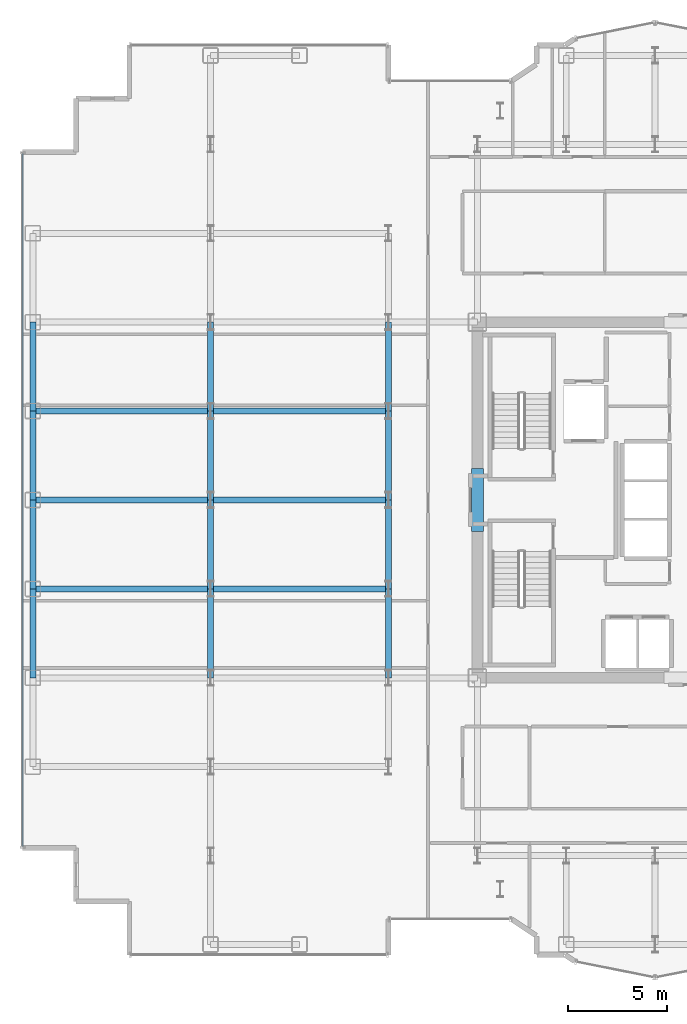
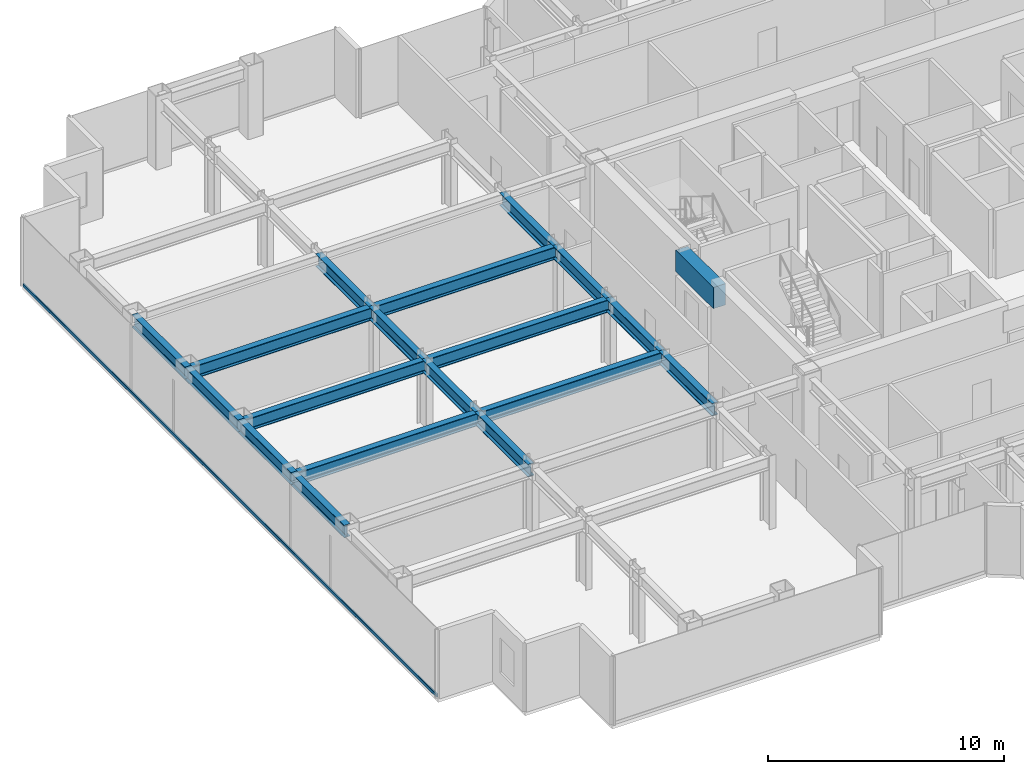
# One storey, part 6 of 23: 19 beams, 1 member, 1 element without a shape of its own.
"""IFC4 building model written with IfcOpenShell, lengths in metres."""

from ifc_helpers import new_model, si_unit, direction, frame, origin, origin_2d, place, context, subcontext, project, spatial, rectangle, hollow_rectangle, i_section, extrude, source, transform, mapped, material, layer, layer_set, material_profile, profile_set, type_object, element, aggregate, save


model = new_model("IFC4")

# Units and contexts
model_context = context("Model", 3, precision=1e-05, world=origin(), true_north=direction((0.0, 1.0)))
body_context = subcontext(model_context, "Body", "Model", "MODEL_VIEW")
ifc_project = project(units=[si_unit("LENGTHUNIT", "METRE"), si_unit("AREAUNIT", "SQUARE_METRE"), si_unit("VOLUMEUNIT", "CUBIC_METRE"), si_unit("PLANEANGLEUNIT", "RADIAN"), si_unit("MASSUNIT", "GRAM", prefix="KILO")], contexts=[model_context])

# Site, building, storey
site_placement = place(None, origin())
site = spatial("IfcSite", under=ifc_project, at=site_placement, CompositionType="ELEMENT")
building_placement = place(site_placement, origin())
building = spatial("IfcBuilding", under=site, at=building_placement, Name="Nefas-Gora Pilgrimage Tower", CompositionType="ELEMENT")
storey_placement = place(building_placement, frame((0.0, 0.0, 167.800048828125)))
storey = spatial("IfcBuildingStorey", under=building, at=storey_placement, Name="L41", CompositionType="ELEMENT", Elevation=167.800048828125)

# Beams
ifc_material_1 = material(Name="Concrete C60/75", Category="concrete")
ifc_material_profile_1 = material_profile(ifc_material_1, rectangle(XDim=0.60009765625, YDim=1.10009765625, at=origin_2d()), Name="RC 600x1100")
ifc_profile_set_1 = profile_set([ifc_material_profile_1], Name="Concrete C60/75")
beam_type_1 = type_object("IfcBeamType", Name="BM-LIN-RC1100", PredefinedType="LINTEL", material=ifc_profile_set_1)
shared_shape_1 = source(origin(), body_context, "Body", "SweptSolid", [
    extrude(rectangle(XDim=0.60009765625, YDim=1.10009765625, at=origin_2d()), origin(), (0.0, 0.0, 1.0), 3.2001953125),
])
beam_placement = place(storey_placement, frame((-11.25, -1.60009765625, 3.0), z_axis=(0.0, 1.0, 0.0), x_axis=(-1.0, 0.0, 0.0)))
element("IfcBeam", 1, at=beam_placement, inside=storey, type_object=beam_type_1, Name="L41 Core Coupling Lintel Beam W", PredefinedType="LINTEL", context=body_context, shape_type="MappedRepresentation", body=[
    mapped(shared_shape_1, transform((0.0, 0.0, 0.0), x_axis=(1.0, 0.0, 0.0), y_axis=(0.0, 1.0, 0.0), z_axis=(0.0, 0.0, 1.0), scale=1.0)),
])
ifc_material_2 = material(Name="Steel S355", Category="steel")
ifc_material_profile_2 = material_profile(ifc_material_2, i_section(OverallWidth=0.300048828125, OverallDepth=0.64990234375, WebThickness=0.01611328125, FlangeThickness=0.031005859375, FilletRadius=0.027099609375, at=origin_2d()), Name="HEB 650")
ifc_profile_set_2 = profile_set([ifc_material_profile_2], Name="Steel S355")
beam_type_2 = type_object("IfcBeamType", Name="BM-SPN-HEB500", PredefinedType="SPANDREL", material=ifc_profile_set_2)
shared_shape_2 = source(origin(), body_context, "Body", "SweptSolid", [
    extrude(i_section(OverallWidth=0.300048828125, OverallDepth=0.64990234375, WebThickness=0.01611328125, FlangeThickness=0.031005859375, FilletRadius=0.027099609375, at=origin_2d()), origin(), (0.0, 0.0, 1.0), 4.5),
])
for number, where, z_axis, x_axis, name in (
    (2, (-33.75, -9.0, 3.224853515625), (0.0, 1.0, 0.0), (-1.0, 0.0, 0.0), "L41 SP-02 beam"),
    (3, (-33.75, -4.5, 3.224853515625), (0.0, 1.0, 0.0), (-1.0, 0.0, 0.0), "L41 SP-02 beam"),
    (4, (-33.75, 0.0, 3.224853515625), (0.0, 1.0, 0.0), (-1.0, 0.0, 0.0), "L41 SP-02 beam"),
    (5, (-33.75, 4.5, 3.224853515625), (0.0, 1.0, 0.0), (-1.0, 0.0, 0.0), "L41 SP-02 beam"),
):
    element("IfcBeam", number, at=place(storey_placement, frame(where, z_axis=z_axis, x_axis=x_axis)), inside=storey, type_object=beam_type_2, Name=name, PredefinedType="SPANDREL", context=body_context, shape_type="MappedRepresentation", body=[
        mapped(shared_shape_2, transform((0.0, 0.0, 0.0), x_axis=(1.0, 0.0, 0.0), y_axis=(0.0, 1.0, 0.0), z_axis=(0.0, 0.0, 1.0), scale=1.0)),
    ])
ifc_material_profile_3 = material_profile(ifc_material_2, i_section(OverallWidth=0.300048828125, OverallDepth=0.64990234375, WebThickness=0.01611328125, FlangeThickness=0.031005859375, FilletRadius=0.027099609375, at=origin_2d()), Name="HEB 650")
ifc_profile_set_3 = profile_set([ifc_material_profile_3], Name="Steel S355")
beam_type_3 = type_object("IfcBeamType", Name="BM-GIR-HEB650", PredefinedType="BEAM", material=ifc_profile_set_3)
shared_shape_3 = source(origin(), body_context, "Body", "SweptSolid", [
    extrude(i_section(OverallWidth=0.300048828125, OverallDepth=0.64990234375, WebThickness=0.01611328125, FlangeThickness=0.031005859375, FilletRadius=0.027099609375, at=origin_2d()), origin(), (0.0, 0.0, 1.0), 9.0),
])
for number, where, z_axis, x_axis, name in (
    (6, (-33.75, -4.5, 3.224853515625), (1.0, 0.0, 0.0), (0.0, 1.0, 0.0), "L41 G-03 beam"),
    (7, (-33.75, 0.0, 3.224853515625), (1.0, 0.0, 0.0), (0.0, 1.0, 0.0), "L41 G-03 beam"),
    (8, (-33.75, 4.5, 3.224853515625), (1.0, 0.0, 0.0), (0.0, 1.0, 0.0), "L41 G-03 beam"),
    (9, (-24.75, -4.5, 3.224853515625), (1.0, 0.0, 0.0), (0.0, 1.0, 0.0), "L41 G-03 beam"),
    (10, (-24.75, 0.0, 3.224853515625), (1.0, 0.0, 0.0), (0.0, 1.0, 0.0), "L41 G-03 beam"),
    (11, (-24.75, 4.5, 3.224853515625), (1.0, 0.0, 0.0), (0.0, 1.0, 0.0), "L41 G-03 beam"),
):
    element("IfcBeam", number, at=place(storey_placement, frame(where, z_axis=z_axis, x_axis=x_axis)), inside=storey, type_object=beam_type_3, Name=name, PredefinedType="BEAM", context=body_context, shape_type="MappedRepresentation", body=[
        mapped(shared_shape_3, transform((0.0, 0.0, 0.0), x_axis=(1.0, 0.0, 0.0), y_axis=(0.0, 1.0, 0.0), z_axis=(0.0, 0.0, 1.0), scale=1.0)),
    ])
shared_shape_4 = source(origin(), body_context, "Body", "SweptSolid", [
    extrude(i_section(OverallWidth=0.300048828125, OverallDepth=0.64990234375, WebThickness=0.01611328125, FlangeThickness=0.031005859375, FilletRadius=0.027099609375, at=origin_2d()), origin(), (0.0, 0.0, 1.0), 4.5),
])
for number, where, z_axis, x_axis, name in (
    (12, (-24.75, -9.0, 3.224853515625), (0.0, 1.0, 0.0), (-1.0, 0.0, 0.0), "L41 G-03 beam"),
    (13, (-24.75, -4.5, 3.224853515625), (0.0, 1.0, 0.0), (-1.0, 0.0, 0.0), "L41 G-03 beam"),
    (14, (-24.75, 0.0, 3.224853515625), (0.0, 1.0, 0.0), (-1.0, 0.0, 0.0), "L41 G-03 beam"),
    (15, (-24.75, 4.5, 3.224853515625), (0.0, 1.0, 0.0), (-1.0, 0.0, 0.0), "L41 G-03 beam"),
    (16, (-15.75, -9.0, 3.224853515625), (0.0, 1.0, 0.0), (-1.0, 0.0, 0.0), "L41 G-03 beam"),
    (17, (-15.75, -4.5, 3.224853515625), (0.0, 1.0, 0.0), (-1.0, 0.0, 0.0), "L41 G-03 beam"),
    (18, (-15.75, 0.0, 3.224853515625), (0.0, 1.0, 0.0), (-1.0, 0.0, 0.0), "L41 G-03 beam"),
    (19, (-15.75, 4.5, 3.224853515625), (0.0, 1.0, 0.0), (-1.0, 0.0, 0.0), "L41 G-03 beam"),
):
    element("IfcBeam", number, at=place(storey_placement, frame(where, z_axis=z_axis, x_axis=x_axis)), inside=storey, type_object=beam_type_3, Name=name, PredefinedType="BEAM", context=body_context, shape_type="MappedRepresentation", body=[
        mapped(shared_shape_4, transform((0.0, 0.0, 0.0), x_axis=(1.0, 0.0, 0.0), y_axis=(0.0, 1.0, 0.0), z_axis=(0.0, 0.0, 1.0), scale=1.0)),
    ])

# Curtain wall, member
ifc_material_3 = material(Name="Dark ceramic-fritted solar-control aluminium-glass curtain wall", Category="aluminium")
ifc_layer = layer(ifc_material_3, 0.219970703125)
ifc_layer_set = layer_set([ifc_layer], Name="Dark ceramic-fritted solar-control aluminium-glass curtain wall")
curtain_wall_type = type_object("IfcCurtainWallType", Name="CW-SYS-3", PredefinedType="NOTDEFINED", material=ifc_layer_set)
curtain_wall_placement = place(storey_placement, origin())
curtain_wall = element("IfcCurtainWall", 20, at=curtain_wall_placement, inside=storey, type_object=curtain_wall_type, Name="L41 Unitised Curtain Wall CW3", PredefinedType="NOTDEFINED")
ifc_material_4 = material(Name="Anodised architectural aluminium", Category="aluminium")
ifc_material_profile_4 = material_profile(ifc_material_4, hollow_rectangle(XDim=0.080078125, YDim=0.159912109375, WallThickness=0.00439453125, InnerFilletRadius=0.00439453125, OuterFilletRadius=0.009033203125, at=origin_2d()), Name="ALU TRANSOM 80x160")
ifc_profile_set_4 = profile_set([ifc_material_profile_4], Name="Anodised architectural aluminium")
member_type = type_object("IfcMemberType", Name="CWM-TRN-3", PredefinedType="USERDEFINED", material=ifc_profile_set_4)
shared_shape_5 = source(origin(), body_context, "Body", "SweptSolid", [
    extrude(hollow_rectangle(XDim=0.080078125, YDim=0.159912109375, WallThickness=0.00439453125, InnerFilletRadius=0.00439453125, OuterFilletRadius=0.009033203125, at=origin_2d()), origin(), (0.0, 0.0, 1.0), 35.06005859375),
])
member_placement = place(storey_placement, frame((-34.27001953125, 17.530029296875, 0.050048828125), z_axis=(0.0, -1.0, 0.0), x_axis=(1.0, 0.0, 0.0)))
member = element("IfcMember", 21, at=member_placement, type_object=member_type, Name="CW3 Spandrel Transom", ObjectType="TRANSOM", PredefinedType="USERDEFINED", context=body_context, shape_type="MappedRepresentation", body=[
    mapped(shared_shape_5, transform((0.0, 0.0, 0.0), x_axis=(1.0, 0.0, 0.0), y_axis=(0.0, 1.0, 0.0), z_axis=(0.0, 0.0, 1.0), scale=1.0)),
])
aggregate(curtain_wall, [member])

save(model, "model.ifc")
